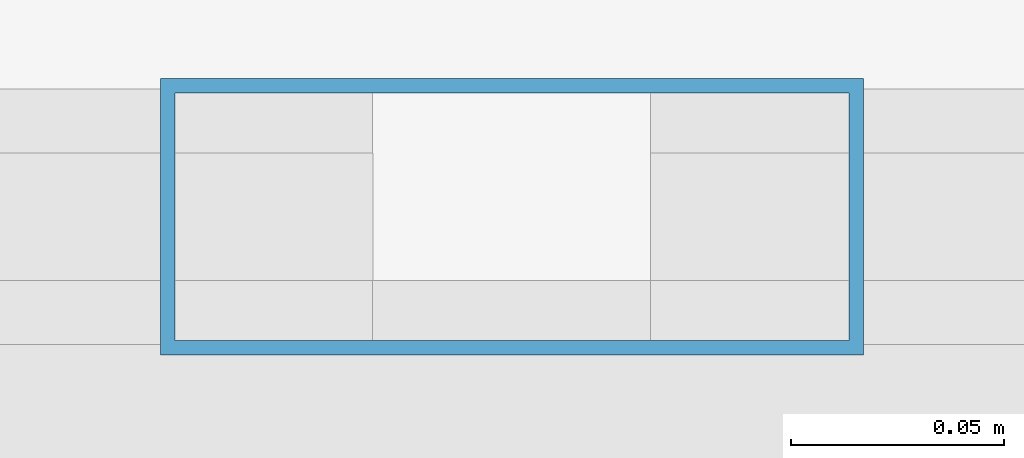
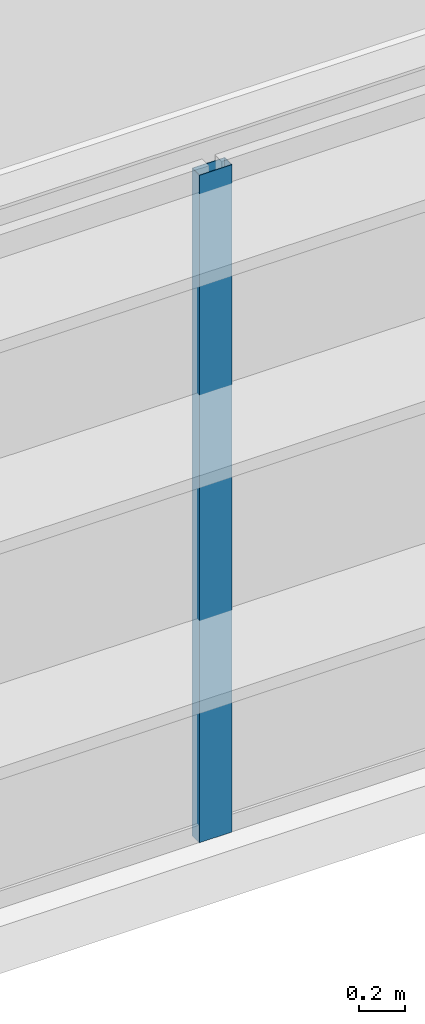
# One storey, part 8 of 27: 1 member, 1 element without a shape of its own.
"""IFC4 building model written with IfcOpenShell, lengths in metres."""

from ifc_helpers import new_model, si_unit, direction, frame, origin, origin_2d, place, context, subcontext, project, spatial, hollow_rectangle, extrude, source, transform, mapped, material, layer, layer_set, material_profile, profile_set, type_object, type_shapes, element, aggregate, save


model = new_model("IFC4")

# Units and contexts
model_context = context("Model", 3, precision=1e-05, world=origin(), true_north=direction((0.0, 1.0)))
body_context = subcontext(model_context, "Body", "Model", "MODEL_VIEW")
ifc_project = project(units=[si_unit("LENGTHUNIT", "METRE"), si_unit("AREAUNIT", "SQUARE_METRE"), si_unit("VOLUMEUNIT", "CUBIC_METRE"), si_unit("PLANEANGLEUNIT", "RADIAN"), si_unit("MASSUNIT", "GRAM", prefix="KILO")], contexts=[model_context])

# Site, building, storey
site_placement = place(None, origin())
site = spatial("IfcSite", under=ifc_project, at=site_placement, CompositionType="ELEMENT")
building_placement = place(site_placement, origin())
building = spatial("IfcBuilding", under=site, at=building_placement, Name="Varnel Quay Broadcast Tower", CompositionType="ELEMENT")
storey_placement = place(building_placement, frame((0.0, 0.0, 203.60009765625)))
storey = spatial("IfcBuildingStorey", under=building, at=storey_placement, Name="L50", CompositionType="ELEMENT", Elevation=203.60009765625)

# Curtain wall, member
ifc_material = material(Name="Anodised Bronze Aluminium 6063-T6", Category="aluminium")
ifc_layer = layer(ifc_material, 0.18994140625, Name="Anodised Bronze Aluminium 6063-T6")
ifc_layer_set = layer_set([ifc_layer], Name="Anodised Bronze Aluminium 6063-T6")
curtain_wall_type = type_object("IfcCurtainWallType", Name="CW_UpperTower", PredefinedType="NOTDEFINED", material=ifc_layer_set)
curtain_wall_placement = place(storey_placement, origin())
curtain_wall = element("IfcCurtainWall", 1, at=curtain_wall_placement, inside=storey, type_object=curtain_wall_type, Name="L50 South Unitised Curtain Wall 1", PredefinedType="NOTDEFINED")
ifc_material_profile = material_profile(ifc_material, hollow_rectangle(XDim=0.06494140625, YDim=0.1650390625, WallThickness=0.00341796875, at=origin_2d()), Name="ALU65X165X3.5")
ifc_profile_set = profile_set([ifc_material_profile], Name="Anodised Bronze Aluminium 6063-T6")
member_type = type_object("IfcMemberType", Name="Mull_CWS-03", PredefinedType="MULLION", material=ifc_profile_set)
shared_shape = source(origin(), body_context, "Body", "SweptSolid", [
    extrude(hollow_rectangle(XDim=0.06494140625, YDim=0.1650390625, WallThickness=0.00341796875, at=origin_2d()), origin(), (0.0, 0.0, 1.0), 3.5498046875),
])
type_shapes(member_type, [shared_shape])
member_placement = place(storey_placement, frame((41.033447265625, 10.35009765625, 0.0), z_axis=(0.0, 0.0, 1.0), x_axis=(0.0, 1.0, 0.0)))
member = element("IfcMember", 2, at=member_placement, type_object=member_type, Name="CWS-03 mullion 3", PredefinedType="MULLION", context=body_context, shape_type="MappedRepresentation", body=[
    mapped(shared_shape, transform((0.0, 0.0, 0.0), x_axis=(1.0, 0.0, 0.0), y_axis=(0.0, 1.0, 0.0), z_axis=(0.0, 0.0, 1.0), scale=1.0)),
])
aggregate(curtain_wall, [member])

save(model, "model.ifc")
